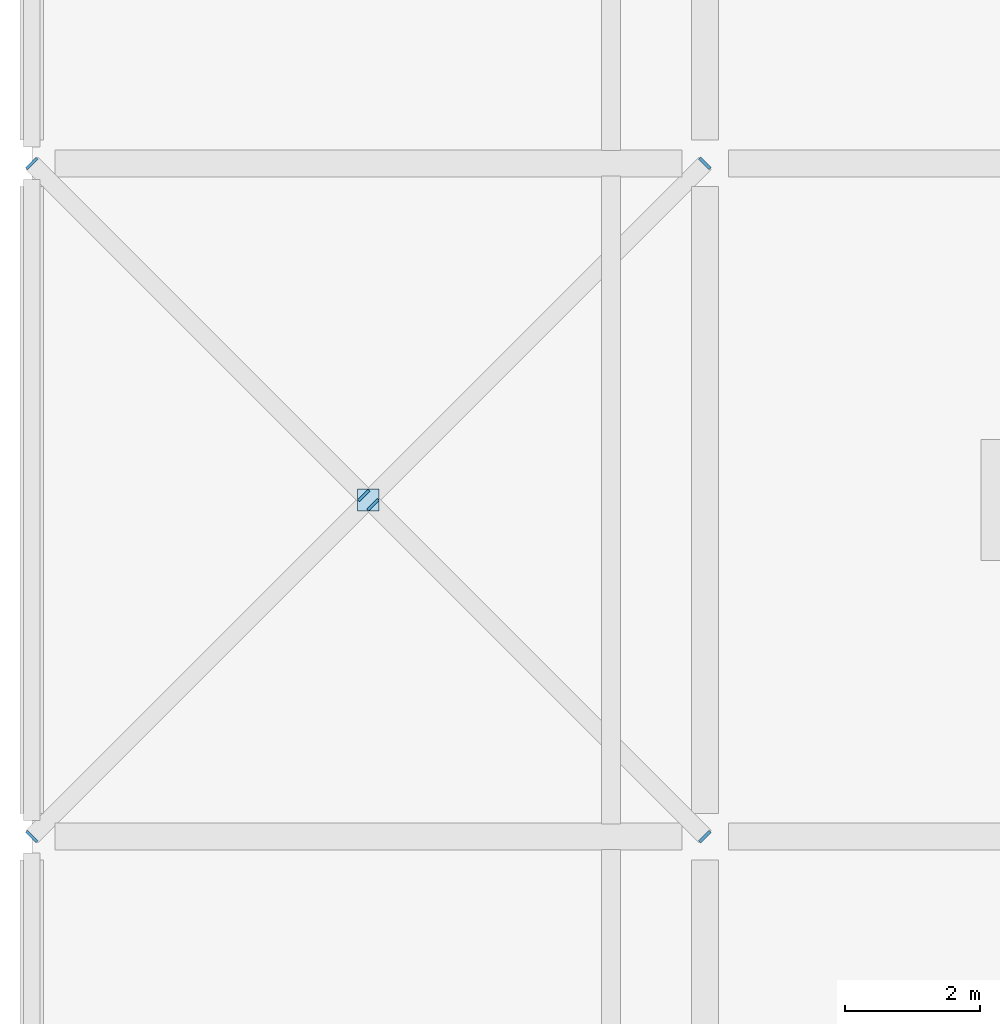
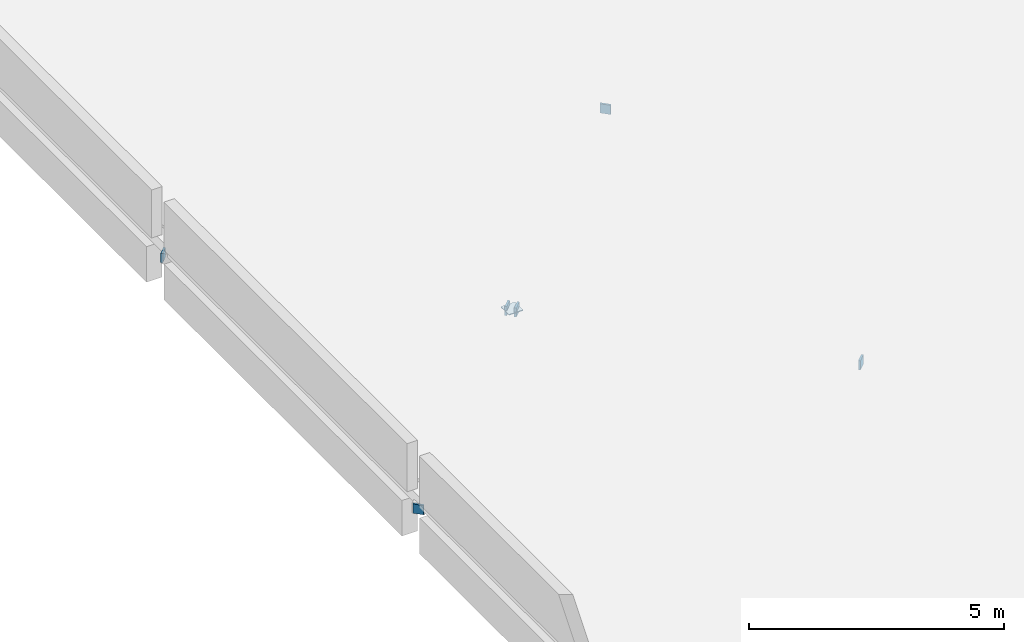
# One storey, part 20 of 39: 7 plates.
"""IFC4 building model written with IfcOpenShell, lengths in metres."""

import ifcopenshell
import ifcopenshell.guid

model = None  # the IFC model being written
_history = None  # IfcOwnerHistory: only IFC2X3 demands one
_inside = {}  # id of a spatial element -> (the spatial element, [elements in it])
_under = {}  # id of a project, library or spatial element -> (it, [spatial elements below it])
_declared = {}  # id of a project -> (the project, [libraries it declares])
_typed = {}  # id of a type object -> (the type object, [elements of that type])
_made_of = {}  # id of a material, layer set ... -> (it, [elements and type objects made of it])


def new_model(schema):
    """Start an empty IFC model of exactly this schema.

    Asked for "IFC4X3", IfcOpenShell would pick the latest addendum, in which some entities
    have other attributes; the version numbers below select the first issue.
    IFC2X3 requires an IfcOwnerHistory on every rooted entity: one is made here for all.
    """
    global model, _history
    if schema == "IFC4X3":
        model = ifcopenshell.file(schema_version=(4, 3, 0, 0))
    else:
        model = ifcopenshell.file(schema=schema)
    _inside.clear()
    _under.clear()
    _declared.clear()
    _typed.clear()
    _made_of.clear()
    _history = None
    if model.schema == "IFC2X3":
        org = make("IfcOrganization", Name="unknown")
        user = make(
            "IfcPersonAndOrganization",
            ThePerson=make("IfcPerson", FamilyName="unknown"),
            TheOrganization=org,
        )
        app = make(
            "IfcApplication",
            ApplicationDeveloper=org,
            Version="unknown",
            ApplicationFullName="unknown",
            ApplicationIdentifier="unknown",
        )
        _history = make(
            "IfcOwnerHistory",
            OwningUser=user,
            OwningApplication=app,
            ChangeAction="ADDED",
            CreationDate=0,
        )
    return model


def make(cls, **values):
    """One entity of the class cls with the attributes given. An attribute that is None is left unset."""
    return model.create_entity(
        cls, **{name: value for name, value in values.items() if value is not None}
    )


def rooted(cls, **values):
    """An entity with a GlobalId (a new one), such as an element, a storey or a relation."""
    return make(cls, GlobalId=ifcopenshell.guid.new(), OwnerHistory=_history, **values)


def si_unit(unit_type, name, prefix=None):
    """IfcSIUnit, for example si_unit("LENGTHUNIT", "METRE", prefix="MILLI")."""
    return make("IfcSIUnit", UnitType=unit_type, Prefix=prefix, Name=name)


def assignment(units):
    """IfcUnitAssignment: the units of a project."""
    return None if units is None else make("IfcUnitAssignment", Units=units)


def point(xyz):
    """IfcCartesianPoint."""
    return None if xyz is None else make("IfcCartesianPoint", Coordinates=xyz)


def direction(xyz):
    """IfcDirection."""
    return None if xyz is None else make("IfcDirection", DirectionRatios=xyz)


def frame(location, z_axis=None, x_axis=None):
    """IfcAxis2Placement3D, a coordinate frame: its origin and axes. An axis left out is left unset."""
    return make(
        "IfcAxis2Placement3D",
        Location=point(location),
        Axis=direction(z_axis),
        RefDirection=direction(x_axis),
    )


def frame_2d(location, x_axis=None):
    """IfcAxis2Placement2D, a coordinate frame in the plane: its origin and x axis."""
    return make(
        "IfcAxis2Placement2D", Location=point(location), RefDirection=direction(x_axis)
    )


def origin():
    """The frame at (0, 0, 0) with its axes left unset."""
    return frame((0.0, 0.0, 0.0))


def origin_2d():
    """The frame at (0, 0) in the plane with its x axis left unset."""
    return frame_2d((0.0, 0.0))


def place(relative_to, where):
    """IfcLocalPlacement: puts the frame where relative to a parent placement (None: the world)."""
    return make(
        "IfcLocalPlacement", PlacementRelTo=relative_to, RelativePlacement=where
    )


def context(
    kind, dimensions, precision=None, world=None, true_north=None, identifier=None
):
    """IfcGeometricRepresentationContext, for example the 3D "Model" context."""
    return make(
        "IfcGeometricRepresentationContext",
        ContextIdentifier=identifier,
        ContextType=kind,
        CoordinateSpaceDimension=dimensions,
        Precision=precision,
        WorldCoordinateSystem=world,
        TrueNorth=true_north,
    )


def subcontext(parent, identifier, kind, view, scale=None):
    """IfcGeometricRepresentationSubContext, for example "Body" below "Model"."""
    return make(
        "IfcGeometricRepresentationSubContext",
        ContextIdentifier=identifier,
        ContextType=kind,
        ParentContext=parent,
        TargetScale=scale,
        TargetView=view,
    )


def project(units=None, contexts=None):
    """IfcProject with its units and contexts."""
    return rooted(
        "IfcProject",
        Name="project",
        RepresentationContexts=contexts,
        UnitsInContext=assignment(units),
    )


def spatial(cls, under=None, at=None, **own):
    """A site, building, storey or space (cls), placed at a placement, below another one or the project."""
    s = rooted(cls, ObjectPlacement=at, **own)
    if under is not None:
        _under.setdefault(under.id(), (under, []))[1].append(s)
    return s


def profile(cls, at=None, kind="AREA", **sizes):
    """A parametric profile (cls). Its sizes go by their IFC names, for example OverallWidth=200.0."""
    return make(cls, ProfileType=kind, Position=at, **sizes)


def rectangle(**sizes):
    """IfcRectangleProfileDef."""
    return profile("IfcRectangleProfileDef", **sizes)


def extrude(swept, where, along, depth):
    """IfcExtrudedAreaSolid: the profile swept, set in the frame where, extruded along a direction by depth."""
    return make(
        "IfcExtrudedAreaSolid",
        SweptArea=swept,
        Position=where,
        ExtrudedDirection=direction(along),
        Depth=depth,
    )


def shape(context_of_items, identifier, shape_type, items):
    """IfcShapeRepresentation: the items that make up one representation, for example the "Body"."""
    return make(
        "IfcShapeRepresentation",
        ContextOfItems=context_of_items,
        RepresentationIdentifier=identifier,
        RepresentationType=shape_type,
        Items=items,
    )


def material(Name=None, Category=None):
    """IfcMaterial."""
    return make("IfcMaterial", Name=Name, Category=Category)


def layer(
    of_material, thickness, ventilated=None, Name=None, Category=None, Priority=None
):
    """IfcMaterialLayer: one layer of a wall or slab, of a material (None: an air gap)."""
    return make(
        "IfcMaterialLayer",
        Material=of_material,
        LayerThickness=thickness,
        IsVentilated=ventilated,
        Name=Name,
        Category=Category,
        Priority=Priority,
    )


def layer_set(layers, Name=None):
    """IfcMaterialLayerSet."""
    return make("IfcMaterialLayerSet", MaterialLayers=layers, LayerSetName=Name)


def made_of(thing, what):
    """Note that an element or type object is made of a material, layer set ...; save() writes the relation."""
    if what is not None:
        _made_of.setdefault(what.id(), (what, []))[1].append(thing)
    return thing


def type_object(cls, material=None, **own):
    """A type object (cls), such as IfcWallType, which elements share."""
    return made_of(rooted(cls, **own), material)


def element(
    cls,
    number,
    at=None,
    inside=None,
    cuts=None,
    type_object=None,
    material=None,
    context=None,
    identifier="Body",
    shape_type=None,
    held_by="IfcProductDefinitionShape",
    body=None,
    shapes=None,
    **own,
):
    """One element of the class cls, such as IfcWall. Its Tag is "e" and its number.

    at: its placement. inside: the storey or other place that contains it. cuts: it is an
    opening in that element (IfcRelVoidsElement). A single representation is given by context,
    identifier, shape_type and body (its items); several are given by shapes. held_by: the class
    of the entity that holds the representations. save() writes the other relations.
    """
    e = rooted(cls, Tag="e%d" % number, ObjectPlacement=at, **own)
    if body is not None:
        shapes = [shape(context, identifier, shape_type, body)]
    if shapes is not None:
        e.Representation = make(held_by, Representations=shapes)
    if inside is not None:
        _inside.setdefault(inside.id(), (inside, []))[1].append(e)
    if cuts is not None:
        rooted(
            "IfcRelVoidsElement", RelatingBuildingElement=cuts, RelatedOpeningElement=e
        )
    if type_object is not None:
        _typed.setdefault(type_object.id(), (type_object, []))[1].append(e)
    return made_of(e, material)


def aggregate(whole, parts):
    """IfcRelAggregates: a whole, such as a stair, and the parts it consists of."""
    return rooted("IfcRelAggregates", RelatingObject=whole, RelatedObjects=parts)


def save(model, path):
    """Write the relations noted so far, then the file.

    IfcRelAggregates (storeys below a building ...), IfcRelContainedInSpatialStructure (elements
    in a storey), IfcRelDefinesByType, IfcRelAssociatesMaterial and IfcRelDeclares: one each for
    every whole, place, type object, material and project.
    """
    for whole, parts in _under.values():
        aggregate(whole, parts)
    for where, things in _inside.values():
        rooted(
            "IfcRelContainedInSpatialStructure",
            RelatedElements=things,
            RelatingStructure=where,
        )
    for kind, things in _typed.values():
        rooted("IfcRelDefinesByType", RelatedObjects=things, RelatingType=kind)
    for what, things in _made_of.values():
        rooted("IfcRelAssociatesMaterial", RelatedObjects=things, RelatingMaterial=what)
    for by, libraries in _declared.values():
        rooted("IfcRelDeclares", RelatingContext=by, RelatedDefinitions=libraries)
    model.write(path)


model = new_model("IFC4")

# Units and contexts
model_context = context("Model", 3, precision=1e-05, world=origin(), true_north=direction((0.0, 1.0)))
body_context = subcontext(model_context, "Body", "Model", "MODEL_VIEW")
ifc_project = project(units=[si_unit("LENGTHUNIT", "METRE"), si_unit("AREAUNIT", "SQUARE_METRE"), si_unit("VOLUMEUNIT", "CUBIC_METRE"), si_unit("PLANEANGLEUNIT", "RADIAN"), si_unit("MASSUNIT", "GRAM", prefix="KILO")], contexts=[model_context])

# Site, building, storey
site_placement = place(None, origin())
site = spatial("IfcSite", under=ifc_project, at=site_placement, CompositionType="ELEMENT")
building_placement = place(site_placement, origin())
building = spatial("IfcBuilding", under=site, at=building_placement, Name="Corvandel Quay Wholesale Market", CompositionType="ELEMENT")
storey_placement = place(building_placement, frame((0.0, 0.0, 15.0)))
storey = spatial("IfcBuildingStorey", under=building, at=storey_placement, Name="L03", CompositionType="ELEMENT", Elevation=15.0)

# Plates
ifc_material = material(Name="Steel A572 Grade 50", Category="steel")
ifc_layer_1 = layer(ifc_material, 0.044921875)
ifc_layer_set_1 = layer_set([ifc_layer_1], Name="Steel A572 Grade 50")
plate_type_1 = type_object("IfcPlateType", Name="Steel Brace End Cap Plate PLT02 45mm", PredefinedType="SHEET", material=ifc_layer_set_1)
for number, where, z_axis, x_axis, name in (
    (1, (20.00146484375, 100.00146484375, -0.41015625), (0.0, 0.0, 1.0), (-0.707106781187, 0.707106781187, 0.0), "HSS Cap Plate PLT-0163"),
    (2, (29.99853515625, 109.99853515625, -0.41015625), (0.0, 0.0, 1.0), (-0.707106781187, 0.707106781187, 0.0), "HSS Cap Plate PLT-0164"),
    (3, (29.99853515625, 100.00146484375, -0.41015625), (0.0, 0.0, 1.0), (0.707106781187, 0.707106781187, 0.0), "HSS Cap Plate PLT-0166"),
    (4, (25.068603515625, 104.931396484375, -0.41015625), (0.0, 0.0, 1.0), (0.707106781187, 0.707106781187, 0.0), "HSS Cap Plate PLT-0167"),
    (5, (24.931396484375, 105.068603515625, -0.41015625), (0.0, 0.0, 1.0), (0.707106781187, 0.707106781187, 0.0), "HSS Cap Plate PLT-0168"),
    (6, (20.00146484375, 109.99853515625, -0.41015625), (0.0, 0.0, 1.0), (0.707106781187, 0.707106781187, 0.0), "HSS Cap Plate PLT-0169"),
):
    element("IfcPlate", number, at=place(storey_placement, frame(where, z_axis=z_axis, x_axis=x_axis)), inside=storey, type_object=plate_type_1, Name=name, PredefinedType="SHEET", context=body_context, shape_type="SweptSolid", body=[
        extrude(rectangle(XDim=0.219970703125, YDim=0.044921875, at=origin_2d()), origin(), (0.0, 0.0, 1.0), 0.219970703125),
    ])
ifc_layer_2 = layer(ifc_material, 0.02001953125)
ifc_layer_set_2 = layer_set([ifc_layer_2], Name="Steel A572 Grade 50")
plate_type_2 = type_object("IfcPlateType", Name="Steel HSS End Cap Plate PLT01 20mm", PredefinedType="SHEET", material=ifc_layer_set_2)
plate_placement = place(storey_placement, frame((25.0, 105.0, -0.31005859375), z_axis=(0.0, 0.0, 1.0), x_axis=(1.0, 0.0, 0.0)))
element("IfcPlate", 7, at=plate_placement, inside=storey, type_object=plate_type_2, Name="X-Brace Node Gusset PLT-0165", PredefinedType="SHEET", context=body_context, shape_type="SweptSolid", body=[
    extrude(rectangle(XDim=0.320068359375, YDim=0.320068359375, at=origin_2d()), origin(), (0.0, 0.0, 1.0), 0.02001953125),
])

save(model, "model.ifc")
